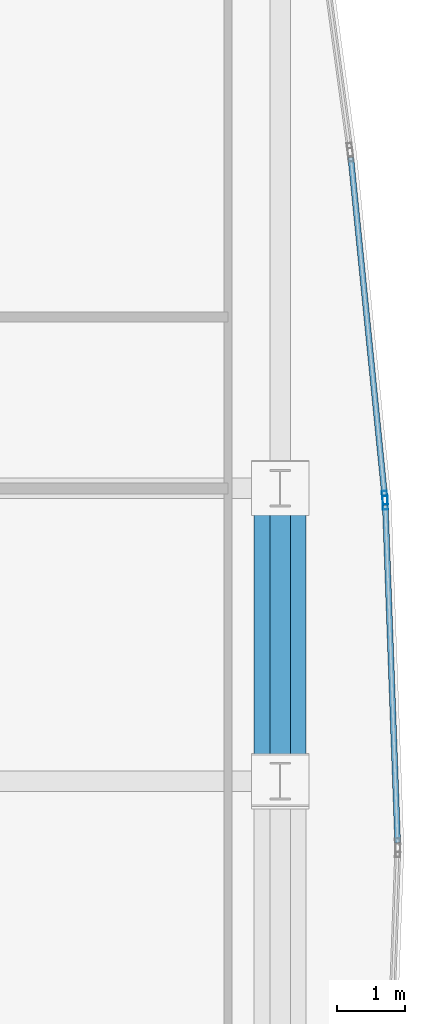
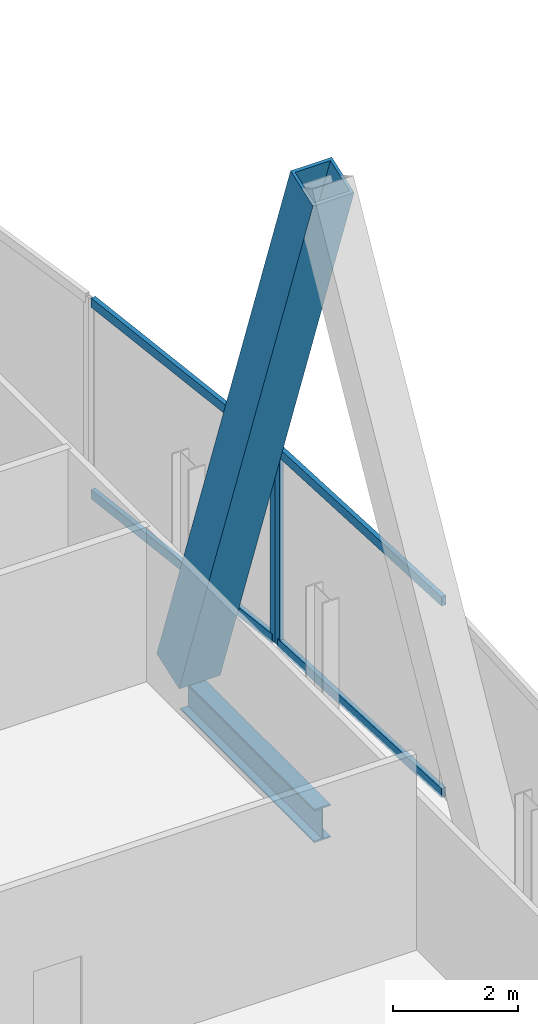
# One storey, part 23 of 35: 7 members, 1 beam, 2 elements without a shape of their own.
"""IFC4 building model written with IfcOpenShell, lengths in metres."""

from ifc_helpers import new_model, si_unit, direction, frame, origin, origin_2d, place, context, subcontext, project, spatial, hollow_rectangle, i_section, extrude, material, material_profile, profile_set, type_object, element, aggregate, save


model = new_model("IFC4")

# Units and contexts
model_context = context("Model", 3, precision=1e-05, world=origin(), true_north=direction((0.0, 1.0)))
body_context = subcontext(model_context, "Body", "Model", "MODEL_VIEW")
ifc_project = project(units=[si_unit("LENGTHUNIT", "METRE"), si_unit("AREAUNIT", "SQUARE_METRE"), si_unit("VOLUMEUNIT", "CUBIC_METRE"), si_unit("PLANEANGLEUNIT", "RADIAN"), si_unit("MASSUNIT", "GRAM", prefix="KILO")], contexts=[model_context])

# Site, building, storey
site_placement = place(None, origin())
site = spatial("IfcSite", under=ifc_project, at=site_placement, CompositionType="ELEMENT")
building_placement = place(site_placement, origin())
building = spatial("IfcBuilding", under=site, at=building_placement, Name="Khoronbel Lancet Exchange", CompositionType="ELEMENT")
storey_placement = place(building_placement, frame((0.0, 0.0, 37.800048828125)))
storey = spatial("IfcBuildingStorey", under=building, at=storey_placement, Name="L08", CompositionType="ELEMENT", Elevation=37.800048828125)

# Beam
ifc_material_1 = material(Name="Steel S355", Category="steel")
ifc_material_profile_1 = material_profile(ifc_material_1, i_section(OverallWidth=0.300048828125, OverallDepth=0.64990234375, WebThickness=0.01611328125, FlangeThickness=0.031005859375, at=origin_2d()), Name="HEB 650")
ifc_profile_set_1 = profile_set([ifc_material_profile_1], Name="Steel S355")
beam_type = type_object("IfcBeamType", Name="BM-BSP1", PredefinedType="SPANDREL", material=ifc_profile_set_1)
beam_placement = place(storey_placement, frame((71.6298828125, 31.425048828125, -0.505126953125), z_axis=(0.0, 1.0, 0.0), x_axis=(-1.0, 0.0, 0.0)))
element("IfcBeam", 1, at=beam_placement, inside=storey, type_object=beam_type, Name="Level L08 perimeter spandrel beam SP13", PredefinedType="SPANDREL", context=body_context, shape_type="SweptSolid", body=[
    extrude(i_section(OverallWidth=0.300048828125, OverallDepth=0.64990234375, WebThickness=0.01611328125, FlangeThickness=0.031005859375, at=origin_2d()), origin(), (0.0, 0.0, 1.0), 4.27490234375),
])

# Curtain wall, member
ifc_material_2 = material(Name="Low-E Solar Control Insulating Glass", Category="glass")
curtain_wall_type = type_object("IfcCurtainWallType", Name="CW-4", PredefinedType="NOTDEFINED", material=ifc_material_2)
curtain_wall_1_placement = place(storey_placement, origin())
curtain_wall_1 = element("IfcCurtainWall", 2, at=curtain_wall_1_placement, inside=storey, type_object=curtain_wall_type, Name="Unitised curtain wall CW-L08-E18", PredefinedType="NOTDEFINED")
ifc_material_3 = material(Name="Bronze-Anodised Aluminium 6063-T6", Category="aluminium")
ifc_material_profile_2 = material_profile(ifc_material_3, hollow_rectangle(XDim=0.074951171875, YDim=0.199951171875, WallThickness=0.0048828125, at=origin_2d()), Name="ALU MULLION 75x200")
ifc_profile_set_2 = profile_set([ifc_material_profile_2], Name="Bronze-Anodised Aluminium 6063-T6")
member_type_1 = type_object("IfcMemberType", Name="MEM-CWM2", PredefinedType="MULLION", material=ifc_profile_set_2)
member_1_placement = place(storey_placement, frame((73.16015625, 35.564453125, 0.0), z_axis=(0.0, 0.0, 1.0), x_axis=(0.995027292608, 0.099602645371, 0.0)))
member_1 = element("IfcMember", 3, at=member_1_placement, type_object=member_type_1, Name="CW4 mullion 2", PredefinedType="MULLION", context=body_context, shape_type="SweptSolid", body=[
    extrude(hollow_rectangle(XDim=0.074951171875, YDim=0.199951171875, WallThickness=0.0048828125, at=origin_2d()), origin(), (0.0, 0.0, 1.0), 3.820068359375),
])

curtain_wall_2_placement = place(storey_placement, origin())
curtain_wall_2 = element("IfcCurtainWall", 4, at=curtain_wall_2_placement, inside=storey, type_object=curtain_wall_type, Name="Unitised curtain wall CW-L08-E19", PredefinedType="NOTDEFINED")
member_2_placement = place(storey_placement, frame((73.165283203125, 35.48974609375, 0.0), z_axis=(0.0, 0.0, 1.0), x_axis=(0.999330356224, 0.036590150718, 0.0)))
member_2 = element("IfcMember", 5, at=member_2_placement, type_object=member_type_1, Name="CW4 mullion 1", PredefinedType="MULLION", context=body_context, shape_type="SweptSolid", body=[
    extrude(hollow_rectangle(XDim=0.074951171875, YDim=0.199951171875, WallThickness=0.0048828125, at=origin_2d()), origin(), (0.0, 0.0, 1.0), 3.820068359375),
])

# Member
ifc_material_profile_3 = material_profile(ifc_material_3, hollow_rectangle(XDim=0.0849609375, YDim=0.179931640625, WallThickness=0.0048828125, at=origin_2d()), Name="ALU TRANSOM 85x180")
ifc_profile_set_3 = profile_set([ifc_material_profile_3], Name="Bronze-Anodised Aluminium 6063-T6")
member_type_2 = type_object("IfcMemberType", Name="MEM-CWT1", PredefinedType="USERDEFINED", material=ifc_profile_set_3)
member_3_placement = place(storey_placement, frame((72.6630859375, 40.531494140625, 0.04248046875), z_axis=(0.099591541432, -0.995028404054, 0.0), x_axis=(0.995028404054, 0.099591541432, 0.0)))
member_3 = element("IfcMember", 6, at=member_3_placement, type_object=member_type_2, Name="CW4 transom 1.1", ObjectType="TRANSOM", PredefinedType="USERDEFINED", context=body_context, shape_type="SweptSolid", body=[
    extrude(hollow_rectangle(XDim=0.0849609375, YDim=0.179931640625, WallThickness=0.0048828125, at=origin_2d()), origin(), (0.0, 0.0, 1.0), 4.954345703125),
])

member_4_placement = place(storey_placement, frame((72.6630859375, 40.531494140625, 3.77734375), z_axis=(0.099591541432, -0.995028404054, 0.0), x_axis=(0.995028404054, 0.099591541432, 0.0)))
member_4 = element("IfcMember", 7, at=member_4_placement, type_object=member_type_2, Name="CW4 transom 1.2", ObjectType="TRANSOM", PredefinedType="USERDEFINED", context=body_context, shape_type="SweptSolid", body=[
    extrude(hollow_rectangle(XDim=0.0849609375, YDim=0.179931640625, WallThickness=0.0048828125, at=origin_2d()), origin(), (0.0, 0.0, 1.0), 4.954345703125),
])

aggregate(curtain_wall_1, [member_1, member_3, member_4])

member_5_placement = place(storey_placement, frame((73.166748046875, 35.4521484375, 0.04248046875), z_axis=(0.036592264199, -0.999330278837, 0.0), x_axis=(0.999330278837, 0.036592264199, 0.0)))
member_5 = element("IfcMember", 8, at=member_5_placement, type_object=member_type_2, Name="CW4 transom 1.1", ObjectType="TRANSOM", PredefinedType="USERDEFINED", context=body_context, shape_type="SweptSolid", body=[
    extrude(hollow_rectangle(XDim=0.0849609375, YDim=0.179931640625, WallThickness=0.0048828125, at=origin_2d()), origin(), (0.0, 0.0, 1.0), 4.9306640625),
])

member_6_placement = place(storey_placement, frame((73.166748046875, 35.4521484375, 3.77734375), z_axis=(0.036592264199, -0.999330278837, 0.0), x_axis=(0.999330278837, 0.036592264199, 0.0)))
member_6 = element("IfcMember", 9, at=member_6_placement, type_object=member_type_2, Name="CW4 transom 1.2", ObjectType="TRANSOM", PredefinedType="USERDEFINED", context=body_context, shape_type="SweptSolid", body=[
    extrude(hollow_rectangle(XDim=0.0849609375, YDim=0.179931640625, WallThickness=0.0048828125, at=origin_2d()), origin(), (0.0, 0.0, 1.0), 4.9306640625),
])

aggregate(curtain_wall_2, [member_2, member_5, member_6])

ifc_material_4 = material(Name="Steel S460", Category="steel")
ifc_material_profile_4 = material_profile(ifc_material_4, hollow_rectangle(XDim=0.760009765625, YDim=0.760009765625, WallThickness=0.054931640625, at=origin_2d()), Name="BOX 760x760x55")
ifc_profile_set_4 = profile_set([ifc_material_profile_4], Name="Steel S460")
member_type_3 = type_object("IfcMemberType", Name="MEM-MB1", PredefinedType="BRACE", material=ifc_profile_set_4)
member_7_placement = place(storey_placement, frame((71.6298828125, 35.699951171875, 0.0), z_axis=(0.0, -0.335583554792, 0.94201044461), x_axis=(1.0, 0.0, 0.0)))
element("IfcMember", 10, at=member_7_placement, inside=storey, type_object=member_type_3, Name="Perimeter lancet brace tier 2 E-P-R", PredefinedType="BRACE", context=body_context, shape_type="SweptSolid", body=[
    extrude(hollow_rectangle(XDim=0.760009765625, YDim=0.760009765625, WallThickness=0.054931640625, at=origin_2d()), origin(), (0.0, 0.0, 1.0), 12.73876953125),
])

save(model, "model.ifc")
